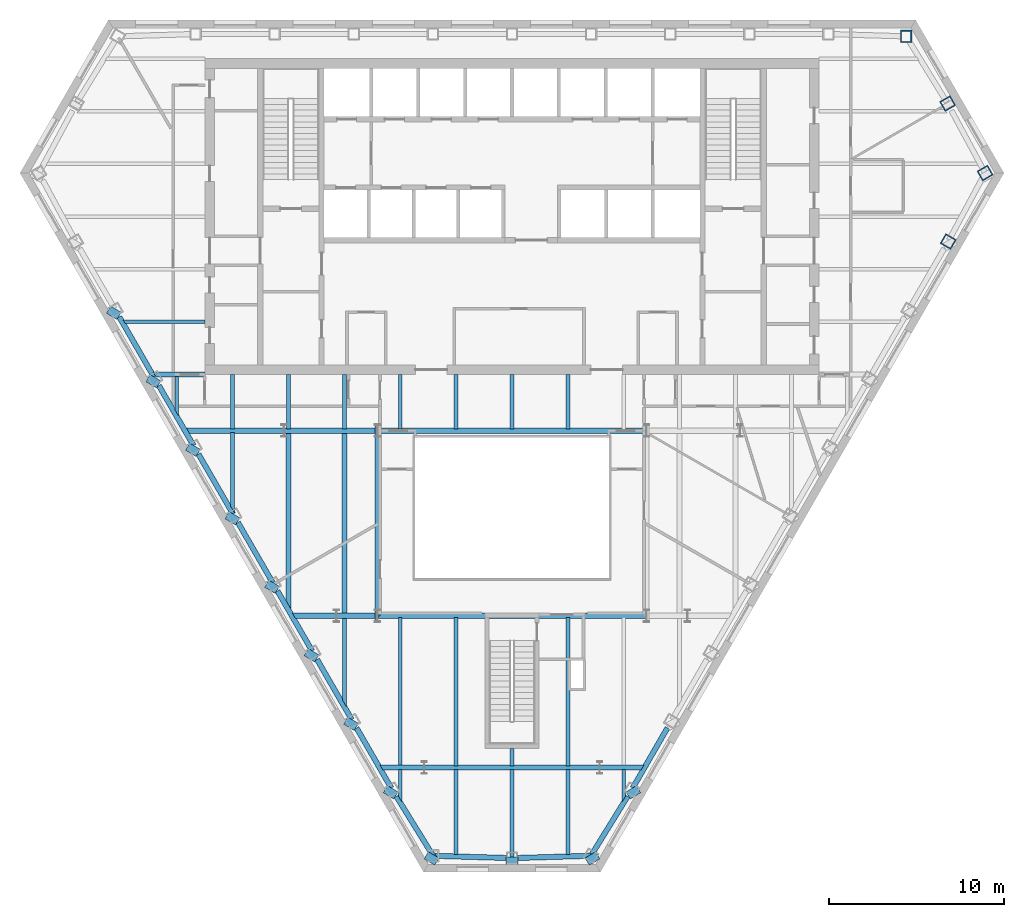
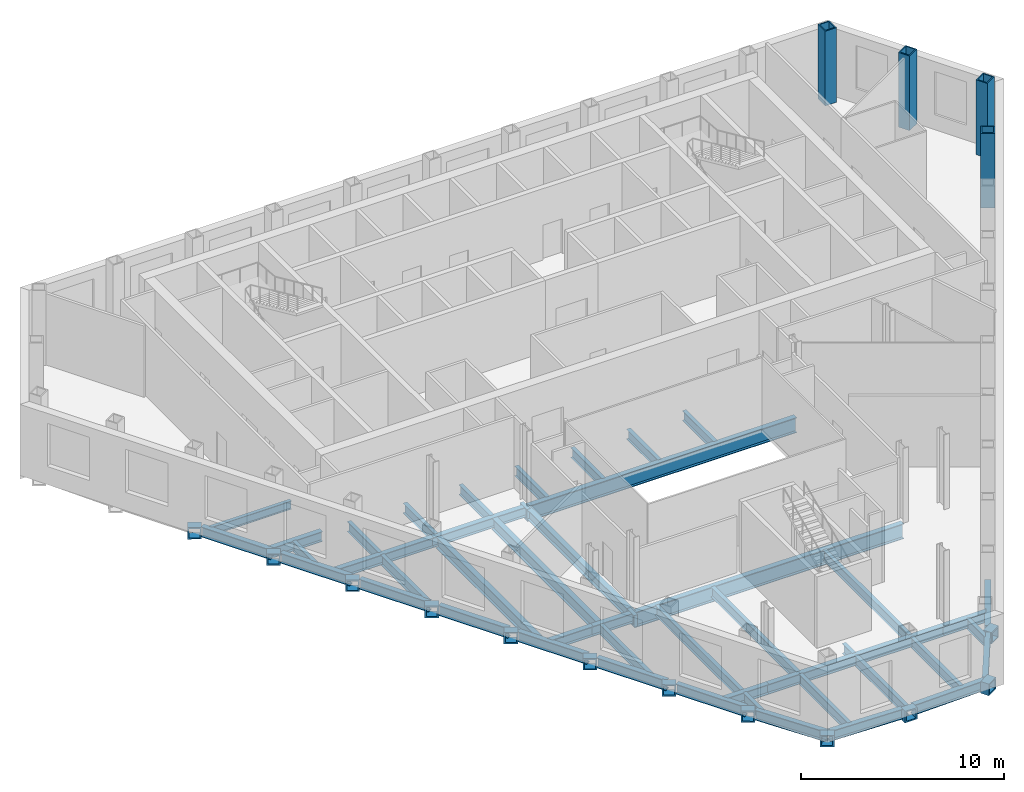
# One storey, part 2 of 11: 59 beams, 4 columns.
"""IFC4 building model written with IfcOpenShell, lengths in metres."""

from ifc_helpers import new_model, si_unit, direction, frame, origin, origin_2d, place, context, subcontext, project, spatial, hollow_rectangle, i_section, extrude, clip, halfspace, material, material_profile, profile_set, type_object, element, save


model = new_model("IFC4")

# Units and contexts
model_context = context("Model", 3, precision=1e-05, world=origin(), true_north=direction((0.0, 1.0)))
body_context = subcontext(model_context, "Body", "Model", "MODEL_VIEW")
ifc_project = project(units=[si_unit("LENGTHUNIT", "METRE"), si_unit("AREAUNIT", "SQUARE_METRE"), si_unit("VOLUMEUNIT", "CUBIC_METRE"), si_unit("PLANEANGLEUNIT", "RADIAN"), si_unit("MASSUNIT", "GRAM", prefix="KILO")], contexts=[model_context])

# Site, building, storey
site_placement = place(None, origin())
site = spatial("IfcSite", under=ifc_project, at=site_placement, CompositionType="ELEMENT")
building_placement = place(site_placement, origin())
building = spatial("IfcBuilding", under=site, at=building_placement, Name="Njiva Tower", CompositionType="ELEMENT")
storey_placement = place(building_placement, frame((0.0, 0.0, 97.8)))
storey = spatial("IfcBuildingStorey", under=building, at=storey_placement, Name="L20", CompositionType="ELEMENT", Elevation=97.8)

# Columns
ifc_material = material(Name="Steel S355 J2", Category="steel")
ifc_material_profile_1 = material_profile(ifc_material, hollow_rectangle(XDim=0.65, YDim=0.7, WallThickness=0.065, at=origin_2d()), Name="BOX 700x650x65")
ifc_profile_set_1 = profile_set([ifc_material_profile_1], Name="Steel S355 J2")
column_type = type_object("IfcColumnType", Name="C7 Perimeter tube column BOX 700x650x65", PredefinedType="COLUMN", material=ifc_profile_set_1)
for number, where, z_axis, x_axis, name in (
    (1, (22.461, 19.267, 0.0), (0.0, 0.0, 1.0), (-1.0, 0.0, 0.0), "Perimeter tube column S07-C01"),
    (2, (24.857, 7.575, 0.0), (0.0, 0.0, 1.0), (0.5, 0.866025403784, 0.0), "Perimeter tube column S07-C34"),
    (3, (26.958, 11.479, 0.0), (0.0, 0.0, 1.0), (-0.5, 0.866025403784, 0.0), "Perimeter tube column S07-C35"),
    (4, (24.825, 15.44, 0.0), (0.0, 0.0, 1.0), (-0.5, 0.866025403784, 0.0), "Perimeter tube column S07-C36"),
):
    element("IfcColumn", number, at=place(storey_placement, frame(where, z_axis=z_axis, x_axis=x_axis)), inside=storey, type_object=column_type, Name=name, PredefinedType="COLUMN", context=body_context, shape_type="SweptSolid", body=[
        extrude(hollow_rectangle(XDim=0.65, YDim=0.7, WallThickness=0.065, at=origin_2d()), origin(), (0.0, 0.0, 1.0), 4.5),
    ])

# Beams
ifc_material_profile_2 = material_profile(ifc_material, i_section(OverallWidth=0.3, OverallDepth=0.69, WebThickness=0.0145, FlangeThickness=0.027, at=origin_2d()), Name="HEA 700")
ifc_profile_set_2 = profile_set([ifc_material_profile_2], Name="Steel S355 J2")
beam_type_1 = type_object("IfcBeamType", Name="B12 Long-span floor joist HEA 700", PredefinedType="JOIST", material=ifc_profile_set_2)
beam_1_placement = place(storey_placement, frame((-12.733, -3.3, -0.545), z_axis=(0.0, -1.0, 0.0), x_axis=(1.0, 0.0, 0.0)))
element("IfcBeam", 5, at=beam_1_placement, inside=storey, type_object=beam_type_1, Name="Long-span floor joist S07-B063", PredefinedType="JOIST", context=body_context, shape_type="Clipping", body=[
    clip(extrude(i_section(OverallWidth=0.3, OverallDepth=0.69, WebThickness=0.0145, FlangeThickness=0.027, at=origin_2d()), origin(), (0.0, 0.0, 1.0), 10.135), halfspace(frame((-0.0436, 0.0, 9.8491), z_axis=(-0.866026552831, 0.0, 0.499998009787), x_axis=(0.0, 1.0, 0.0)), False)),
])
beam_2_placement = place(storey_placement, frame((-9.55, -3.3, -0.545), z_axis=(0.0, -1.0, 0.0), x_axis=(1.0, 0.0, 0.0)))
element("IfcBeam", 6, at=beam_2_placement, inside=storey, type_object=beam_type_1, Name="Long-span floor joist S07-B066", PredefinedType="JOIST", context=body_context, shape_type="SweptSolid", body=[
    extrude(i_section(OverallWidth=0.3, OverallDepth=0.69, WebThickness=0.0145, FlangeThickness=0.027, at=origin_2d()), origin(), (0.0, 0.0, 1.0), 10.35),
])
ifc_material_profile_3 = material_profile(ifc_material, i_section(OverallWidth=0.22, OverallDepth=0.6, WebThickness=0.012, FlangeThickness=0.019, at=origin_2d()), Name="IPE 600")
ifc_profile_set_3 = profile_set([ifc_material_profile_3], Name="Steel S355 J2")
beam_type_2 = type_object("IfcBeamType", Name="B13 Floor joist IPE 600", PredefinedType="JOIST", material=ifc_profile_set_3)
beam_3_placement = place(storey_placement, frame((-9.55, -13.85, -0.5), z_axis=(0.0, -1.0, 0.0), x_axis=(1.0, 0.0, 0.0)))
element("IfcBeam", 7, at=beam_3_placement, inside=storey, type_object=beam_type_2, Name="Floor joist S07-B065", PredefinedType="JOIST", context=body_context, shape_type="Clipping", body=[
    clip(extrude(i_section(OverallWidth=0.22, OverallDepth=0.6, WebThickness=0.012, FlangeThickness=0.019, at=origin_2d()), origin(), (0.0, 0.0, 1.0), 5.099), halfspace(frame((-0.0433, 0.0, 4.8128), z_axis=(-0.866026552831, 0.0, 0.499998009787), x_axis=(0.0, 1.0, 0.0)), False)),
])
for number, where, z_axis, x_axis, name in (
    (8, (-6.367, -13.851, -0.5), (0.0, -1.0, 0.0), (1.0, 0.0, 0.0), "Floor joist S07-B069"),
    (9, (-3.183, -13.851, -0.5), (0.0, -1.0, 0.0), (1.0, 0.0, 0.0), "Floor joist S07-B072"),
):
    element("IfcBeam", number, at=place(storey_placement, frame(where, z_axis=z_axis, x_axis=x_axis)), inside=storey, type_object=beam_type_2, Name=name, PredefinedType="JOIST", context=body_context, shape_type="SweptSolid", body=[
        extrude(i_section(OverallWidth=0.22, OverallDepth=0.6, WebThickness=0.012, FlangeThickness=0.019, at=origin_2d()), origin(), (0.0, 0.0, 1.0), 8.449),
    ])
beam_4_placement = place(storey_placement, frame((-3.183, -22.5, -0.5), z_axis=(0.0, -1.0, 0.0), x_axis=(1.0, 0.0, 0.0)))
element("IfcBeam", 10, at=beam_4_placement, inside=storey, type_object=beam_type_2, Name="Floor joist S07-B071", PredefinedType="JOIST", context=body_context, shape_type="SweptSolid", body=[
    extrude(i_section(OverallWidth=0.22, OverallDepth=0.6, WebThickness=0.012, FlangeThickness=0.019, at=origin_2d()), origin(), (0.0, 0.0, 1.0), 4.861),
])
beam_5_placement = place(storey_placement, frame((0.0, -22.5, -0.5), z_axis=(0.0, -1.0, 0.0), x_axis=(1.0, 0.0, 0.0)))
element("IfcBeam", 11, at=beam_5_placement, inside=storey, type_object=beam_type_2, Name="Floor joist S07-B074", PredefinedType="JOIST", context=body_context, shape_type="SweptSolid", body=[
    extrude(i_section(OverallWidth=0.22, OverallDepth=0.6, WebThickness=0.012, FlangeThickness=0.019, at=origin_2d()), origin(), (0.0, 0.0, 1.0), 5.058),
])
beam_6_placement = place(storey_placement, frame((3.183, -13.851, -0.5), z_axis=(0.0, -1.0, 0.0), x_axis=(1.0, 0.0, 0.0)))
element("IfcBeam", 12, at=beam_6_placement, inside=storey, type_object=beam_type_2, Name="Floor joist S07-B079", PredefinedType="JOIST", context=body_context, shape_type="SweptSolid", body=[
    extrude(i_section(OverallWidth=0.22, OverallDepth=0.6, WebThickness=0.012, FlangeThickness=0.019, at=origin_2d()), origin(), (0.0, 0.0, 1.0), 8.449),
])
beam_7_placement = place(storey_placement, frame((3.183, -22.5, -0.5), z_axis=(0.0, -1.0, 0.0), x_axis=(1.0, 0.0, 0.0)))
element("IfcBeam", 13, at=beam_7_placement, inside=storey, type_object=beam_type_2, Name="Floor joist S07-B078", PredefinedType="JOIST", context=body_context, shape_type="SweptSolid", body=[
    extrude(i_section(OverallWidth=0.22, OverallDepth=0.6, WebThickness=0.012, FlangeThickness=0.019, at=origin_2d()), origin(), (0.0, 0.0, 1.0), 4.861),
])
ifc_material_profile_4 = material_profile(ifc_material, i_section(OverallWidth=0.22, OverallDepth=0.6, WebThickness=0.012, FlangeThickness=0.019, at=origin_2d()), Name="IPE 600")
ifc_profile_set_4 = profile_set([ifc_material_profile_4], Name="Steel S355 J2")
beam_type_3 = type_object("IfcBeamType", Name="B14 Short-span floor joist IPE 600", PredefinedType="JOIST", material=ifc_profile_set_4)
beam_8_placement = place(storey_placement, frame((-19.1, -0.1, -0.5), z_axis=(0.0, -1.0, 0.0), x_axis=(1.0, 0.0, 0.0)))
element("IfcBeam", 14, at=beam_8_placement, inside=storey, type_object=beam_type_3, Name="Short-span floor joist S07-B059", PredefinedType="JOIST", context=body_context, shape_type="Clipping", body=[
    clip(extrude(i_section(OverallWidth=0.22, OverallDepth=0.6, WebThickness=0.012, FlangeThickness=0.019, at=origin_2d()), origin(), (0.0, 0.0, 1.0), 2.308), halfspace(frame((-0.0433, 0.0, 2.0217), z_axis=(-0.866026552831, 0.0, 0.499998009787), x_axis=(0.0, 1.0, 0.0)), False)),
])
beam_9_placement = place(storey_placement, frame((-15.917, -0.005, -0.5), z_axis=(0.0, -1.0, 0.0), x_axis=(1.0, 0.0, 0.0)))
element("IfcBeam", 15, at=beam_9_placement, inside=storey, type_object=beam_type_3, Name="Short-span floor joist S07-B062", PredefinedType="JOIST", context=body_context, shape_type="SweptSolid", body=[
    extrude(i_section(OverallWidth=0.22, OverallDepth=0.6, WebThickness=0.012, FlangeThickness=0.019, at=origin_2d()), origin(), (0.0, 0.0, 1.0), 3.095),
])
beam_10_placement = place(storey_placement, frame((-15.917, -3.3, -0.5), z_axis=(0.0, -1.0, 0.0), x_axis=(1.0, 0.0, 0.0)))
element("IfcBeam", 16, at=beam_10_placement, inside=storey, type_object=beam_type_3, Name="Short-span floor joist S07-B061", PredefinedType="JOIST", context=body_context, shape_type="Clipping", body=[
    clip(extrude(i_section(OverallWidth=0.22, OverallDepth=0.6, WebThickness=0.012, FlangeThickness=0.019, at=origin_2d()), origin(), (0.0, 0.0, 1.0), 4.621), halfspace(frame((-0.043, 0.0, 4.3354), z_axis=(-0.866026552831, 0.0, 0.499998009787), x_axis=(0.0, 1.0, 0.0)), False)),
])
for number, where, z_axis, x_axis, name in (
    (17, (-12.733, -0.005, -0.5), (0.0, -1.0, 0.0), (1.0, 0.0, 0.0), "Short-span floor joist S07-B064"),
    (18, (-9.55, -0.005, -0.5), (0.0, -1.0, 0.0), (1.0, 0.0, 0.0), "Short-span floor joist S07-B067"),
):
    element("IfcBeam", number, at=place(storey_placement, frame(where, z_axis=z_axis, x_axis=x_axis)), inside=storey, type_object=beam_type_3, Name=name, PredefinedType="JOIST", context=body_context, shape_type="SweptSolid", body=[
        extrude(i_section(OverallWidth=0.22, OverallDepth=0.6, WebThickness=0.012, FlangeThickness=0.019, at=origin_2d()), origin(), (0.0, 0.0, 1.0), 3.095),
    ])
beam_11_placement = place(storey_placement, frame((-6.367, -0.005, -0.5), z_axis=(0.0, -1.0, 0.0), x_axis=(1.0, 0.0, 0.0)))
element("IfcBeam", 19, at=beam_11_placement, inside=storey, type_object=beam_type_3, Name="Short-span floor joist S07-B070", PredefinedType="JOIST", context=body_context, shape_type="SweptSolid", body=[
    extrude(i_section(OverallWidth=0.22, OverallDepth=0.6, WebThickness=0.012, FlangeThickness=0.019, at=origin_2d()), origin(), (0.0, 0.0, 1.0), 3.094),
])
beam_12_placement = place(storey_placement, frame((-6.367, -22.5, -0.5), z_axis=(0.0, -1.0, 0.0), x_axis=(1.0, 0.0, 0.0)))
element("IfcBeam", 20, at=beam_12_placement, inside=storey, type_object=beam_type_3, Name="Short-span floor joist S07-B068", PredefinedType="JOIST", context=body_context, shape_type="Clipping", body=[
    clip(extrude(i_section(OverallWidth=0.22, OverallDepth=0.6, WebThickness=0.012, FlangeThickness=0.019, at=origin_2d()), origin(), (0.0, 0.0, 1.0), 1.907), halfspace(frame((-0.0422, 0.0, 1.64), z_axis=(-0.850620428373, 0.0, 0.525780264783), x_axis=(0.0, 1.0, 0.0)), False)),
])
for number, where, z_axis, x_axis, name in (
    (21, (-3.183, -0.005, -0.5), (0.0, -1.0, 0.0), (1.0, 0.0, 0.0), "Short-span floor joist S07-B073"),
    (22, (0.0, -0.005, -0.5), (0.0, -1.0, 0.0), (1.0, 0.0, 0.0), "Short-span floor joist S07-B077"),
):
    element("IfcBeam", number, at=place(storey_placement, frame(where, z_axis=z_axis, x_axis=x_axis)), inside=storey, type_object=beam_type_3, Name=name, PredefinedType="JOIST", context=body_context, shape_type="SweptSolid", body=[
        extrude(i_section(OverallWidth=0.22, OverallDepth=0.6, WebThickness=0.012, FlangeThickness=0.019, at=origin_2d()), origin(), (0.0, 0.0, 1.0), 3.094),
    ])
beam_13_placement = place(storey_placement, frame((0.0, -21.3, -0.5), z_axis=(0.0, -1.0, 0.0), x_axis=(1.0, 0.0, 0.0)))
element("IfcBeam", 23, at=beam_13_placement, inside=storey, type_object=beam_type_3, Name="Short-span floor joist S07-B076", PredefinedType="JOIST", context=body_context, shape_type="SweptSolid", body=[
    extrude(i_section(OverallWidth=0.22, OverallDepth=0.6, WebThickness=0.012, FlangeThickness=0.019, at=origin_2d()), origin(), (0.0, 0.0, 1.0), 1.0),
])
beam_14_placement = place(storey_placement, frame((3.183, -0.005, -0.5), z_axis=(0.0, -1.0, 0.0), x_axis=(1.0, 0.0, 0.0)))
element("IfcBeam", 24, at=beam_14_placement, inside=storey, type_object=beam_type_3, Name="Short-span floor joist S07-B080", PredefinedType="JOIST", context=body_context, shape_type="SweptSolid", body=[
    extrude(i_section(OverallWidth=0.22, OverallDepth=0.6, WebThickness=0.012, FlangeThickness=0.019, at=origin_2d()), origin(), (0.0, 0.0, 1.0), 3.094),
])
beam_15_placement = place(storey_placement, frame((6.367, -22.5, -0.5), z_axis=(0.0, -1.0, 0.0), x_axis=(1.0, 0.0, 0.0)))
element("IfcBeam", 25, at=beam_15_placement, inside=storey, type_object=beam_type_3, Name="Short-span floor joist S07-B081", PredefinedType="JOIST", context=body_context, shape_type="Clipping", body=[
    clip(extrude(i_section(OverallWidth=0.22, OverallDepth=0.6, WebThickness=0.012, FlangeThickness=0.019, at=origin_2d()), origin(), (0.0, 0.0, 1.0), 1.907), halfspace(frame((0.0422, 0.0, 1.64), z_axis=(0.850620428373, 0.0, 0.525780264783), x_axis=(0.0, 1.0, 0.0)), False)),
])
ifc_material_profile_5 = material_profile(ifc_material, hollow_rectangle(XDim=0.7, YDim=0.7, WallThickness=0.08, at=origin_2d()), Name="BOX 700x700x80")
ifc_profile_set_5 = profile_set([ifc_material_profile_5], Name="Steel S355 J2")
beam_type_4 = type_object("IfcBeamType", Name="B19 Column jog beam BOX 700x700x80", PredefinedType="BEAM", material=ifc_profile_set_5)
beam_16_placement = place(storey_placement, frame((-22.81, 3.31, -0.55), z_axis=(0.495234720822, 0.868759213645, 0.0), x_axis=(-0.868759213645, 0.495234720822, 0.0)))
element("IfcBeam", 26, at=beam_16_placement, inside=storey, type_object=beam_type_4, Name="Column jog beam S07-B033", PredefinedType="BEAM", context=body_context, shape_type="SweptSolid", body=[
    extrude(hollow_rectangle(XDim=0.7, YDim=0.7, WallThickness=0.08, at=origin_2d()), origin(), (0.0, 0.0, 1.0), 0.4765),
])
beam_17_placement = place(storey_placement, frame((-20.556, -0.593, -0.55), z_axis=(0.496138938357, 0.868243142124, 0.0), x_axis=(-0.868243142124, 0.496138938357, 0.0)))
element("IfcBeam", 27, at=beam_17_placement, inside=storey, type_object=beam_type_4, Name="Column jog beam S07-B034", PredefinedType="BEAM", context=body_context, shape_type="SweptSolid", body=[
    extrude(hollow_rectangle(XDim=0.7, YDim=0.7, WallThickness=0.08, at=origin_2d()), origin(), (0.0, 0.0, 1.0), 0.4757),
])
beam_18_placement = place(storey_placement, frame((-18.303, -4.496, -0.55), z_axis=(0.498629231199, 0.86681537238, 0.0), x_axis=(-0.86681537238, 0.498629231199, 0.0)))
element("IfcBeam", 28, at=beam_18_placement, inside=storey, type_object=beam_type_4, Name="Column jog beam S07-B035", PredefinedType="BEAM", context=body_context, shape_type="SweptSolid", body=[
    extrude(hollow_rectangle(XDim=0.7, YDim=0.7, WallThickness=0.08, at=origin_2d()), origin(), (0.0, 0.0, 1.0), 0.4753),
])
beam_19_placement = place(storey_placement, frame((-16.05, -8.399, -0.55), z_axis=(0.500207565094, 0.865905532852, 0.0), x_axis=(-0.865905532852, 0.500207565094, 0.0)))
element("IfcBeam", 29, at=beam_19_placement, inside=storey, type_object=beam_type_4, Name="Column jog beam S07-B036", PredefinedType="BEAM", context=body_context, shape_type="SweptSolid", body=[
    extrude(hollow_rectangle(XDim=0.7, YDim=0.7, WallThickness=0.08, at=origin_2d()), origin(), (0.0, 0.0, 1.0), 0.4758),
])
beam_20_placement = place(storey_placement, frame((-13.796, -12.302, -0.55), z_axis=(0.501119266826, 0.865378229687, 0.0), x_axis=(-0.865378229687, 0.501119266826, 0.0)))
element("IfcBeam", 30, at=beam_20_placement, inside=storey, type_object=beam_type_4, Name="Column jog beam S07-B037", PredefinedType="BEAM", context=body_context, shape_type="SweptSolid", body=[
    extrude(hollow_rectangle(XDim=0.7, YDim=0.7, WallThickness=0.08, at=origin_2d()), origin(), (0.0, 0.0, 1.0), 0.4749),
])
beam_21_placement = place(storey_placement, frame((-11.543, -16.205, -0.55), z_axis=(0.502033738113, 0.864848036245, 0.0), x_axis=(-0.864848036245, 0.502033738113, 0.0)))
element("IfcBeam", 31, at=beam_21_placement, inside=storey, type_object=beam_type_4, Name="Column jog beam S07-B038", PredefinedType="BEAM", context=body_context, shape_type="SweptSolid", body=[
    extrude(hollow_rectangle(XDim=0.7, YDim=0.7, WallThickness=0.08, at=origin_2d()), origin(), (0.0, 0.0, 1.0), 0.4741),
])
for number, where, z_axis, x_axis, name in (
    (32, (-9.29, -20.107, -0.55), (0.505448100698, 0.862857008722, 0.0), (-0.862857008722, 0.505448100698, 0.0), "Column jog beam S07-B039"),
    (33, (-7.036, -24.01, -0.55), (0.505448100698, 0.862857008722, 0.0), (-0.862857008722, 0.505448100698, 0.0), "Column jog beam S07-B042"),
):
    element("IfcBeam", number, at=place(storey_placement, frame(where, z_axis=z_axis, x_axis=x_axis)), inside=storey, type_object=beam_type_4, Name=name, PredefinedType="BEAM", context=body_context, shape_type="SweptSolid", body=[
        extrude(hollow_rectangle(XDim=0.7, YDim=0.7, WallThickness=0.08, at=origin_2d()), origin(), (0.0, 0.0, 1.0), 0.4728),
    ])
beam_22_placement = place(storey_placement, frame((-4.707, -27.78, -0.55), z_axis=(0.511075392877, 0.859535888021, 0.0), x_axis=(-0.859535888021, 0.511075392877, 0.0)))
element("IfcBeam", 34, at=beam_22_placement, inside=storey, type_object=beam_type_4, Name="Column jog beam S07-B043", PredefinedType="BEAM", context=body_context, shape_type="SweptSolid", body=[
    extrude(hollow_rectangle(XDim=0.7, YDim=0.7, WallThickness=0.08, at=origin_2d()), origin(), (0.0, 0.0, 1.0), 0.4735),
])
beam_23_placement = place(storey_placement, frame((0.0, -27.921, -0.55), z_axis=(0.0, 1.0, 0.0), x_axis=(-1.0, 0.0, 0.0)))
element("IfcBeam", 35, at=beam_23_placement, inside=storey, type_object=beam_type_4, Name="Column jog beam S07-B044", PredefinedType="BEAM", context=body_context, shape_type="SweptSolid", body=[
    extrude(hollow_rectangle(XDim=0.7, YDim=0.7, WallThickness=0.08, at=origin_2d()), origin(), (0.0, 0.0, 1.0), 0.423),
])
beam_24_placement = place(storey_placement, frame((4.707, -27.78, -0.55), z_axis=(-0.511075392877, 0.859535888021, 0.0), x_axis=(-0.859535888021, -0.511075392877, 0.0)))
element("IfcBeam", 36, at=beam_24_placement, inside=storey, type_object=beam_type_4, Name="Column jog beam S07-B045", PredefinedType="BEAM", context=body_context, shape_type="SweptSolid", body=[
    extrude(hollow_rectangle(XDim=0.7, YDim=0.7, WallThickness=0.08, at=origin_2d()), origin(), (0.0, 0.0, 1.0), 0.4735),
])
beam_25_placement = place(storey_placement, frame((7.036, -24.01, -0.55), z_axis=(-0.505448100698, 0.862857008722, 0.0), x_axis=(-0.862857008722, -0.505448100698, 0.0)))
element("IfcBeam", 37, at=beam_25_placement, inside=storey, type_object=beam_type_4, Name="Column jog beam S07-B046", PredefinedType="BEAM", context=body_context, shape_type="SweptSolid", body=[
    extrude(hollow_rectangle(XDim=0.7, YDim=0.7, WallThickness=0.08, at=origin_2d()), origin(), (0.0, 0.0, 1.0), 0.4728),
])
for number, where, z_axis, x_axis, name in (
    (38, (-7.82, -3.2, -0.55), (1.0, 0.0, 0.0), (0.0, 1.0, 0.0), "Column jog beam S07-B041"),
    (39, (-7.82, -13.75, -0.55), (1.0, 0.0, 0.0), (0.0, 1.0, 0.0), "Column jog beam S07-B040"),
):
    element("IfcBeam", number, at=place(storey_placement, frame(where, z_axis=z_axis, x_axis=x_axis)), inside=storey, type_object=beam_type_4, Name=name, PredefinedType="BEAM", context=body_context, shape_type="SweptSolid", body=[
        extrude(hollow_rectangle(XDim=0.7, YDim=0.7, WallThickness=0.08, at=origin_2d()), origin(), (0.0, 0.0, 1.0), 0.21),
    ])
ifc_material_profile_6 = material_profile(ifc_material, i_section(OverallWidth=0.3, OverallDepth=0.6, WebThickness=0.0155, FlangeThickness=0.03, at=origin_2d()), Name="HEB 600")
ifc_profile_set_6 = profile_set([ifc_material_profile_6], Name="Steel S355 J2")
beam_type_5 = type_object("IfcBeamType", Name="B20 Floor girder HEB 600", PredefinedType="BEAM", material=ifc_profile_set_6)
beam_26_placement = place(storey_placement, frame((-18.628, -3.2, -0.5), z_axis=(1.0, 0.0, 0.0), x_axis=(0.0, 1.0, 0.0)))
element("IfcBeam", 40, at=beam_26_placement, inside=storey, type_object=beam_type_5, Name="Floor girder S07-B017", PredefinedType="BEAM", context=body_context, shape_type="Clipping", body=[
    clip(extrude(i_section(OverallWidth=0.3, OverallDepth=0.6, WebThickness=0.0155, FlangeThickness=0.03, at=origin_2d()), origin(), (0.0, 0.0, 1.0), 5.628), halfspace(frame((-0.025, 0.0, 0.1217), z_axis=(-0.499998009787, 0.0, -0.866026552831), x_axis=(0.0, -1.0, 0.0)), False)),
])
beam_27_placement = place(storey_placement, frame((-13.0, -3.2, -0.5), z_axis=(1.0, 0.0, 0.0), x_axis=(0.0, 1.0, 0.0)))
element("IfcBeam", 41, at=beam_27_placement, inside=storey, type_object=beam_type_5, Name="Floor girder S07-B018", PredefinedType="BEAM", context=body_context, shape_type="SweptSolid", body=[
    extrude(i_section(OverallWidth=0.3, OverallDepth=0.6, WebThickness=0.0155, FlangeThickness=0.03, at=origin_2d()), origin(), (0.0, 0.0, 1.0), 5.33),
])
ifc_material_profile_7 = material_profile(ifc_material, i_section(OverallWidth=0.3, OverallDepth=0.6, WebThickness=0.0155, FlangeThickness=0.03, at=origin_2d()), Name="HEB 600")
ifc_profile_set_7 = profile_set([ifc_material_profile_7], Name="Steel S355 J2")
beam_type_6 = type_object("IfcBeamType", Name="B21 Short-span floor girder HEB 600", PredefinedType="BEAM", material=ifc_profile_set_7)
beam_28_placement = place(storey_placement, frame((-12.537, -13.75, -0.5), z_axis=(1.0, 0.0, 0.0), x_axis=(0.0, 1.0, 0.0)))
element("IfcBeam", 42, at=beam_28_placement, inside=storey, type_object=beam_type_6, Name="Short-span floor girder S07-B019", PredefinedType="BEAM", context=body_context, shape_type="Clipping", body=[
    clip(extrude(i_section(OverallWidth=0.3, OverallDepth=0.6, WebThickness=0.0155, FlangeThickness=0.03, at=origin_2d()), origin(), (0.0, 0.0, 1.0), 2.537), halfspace(frame((-0.025, 0.0, 0.1217), z_axis=(-0.499998009787, 0.0, -0.866026552831), x_axis=(0.0, -1.0, 0.0)), False)),
])
beam_29_placement = place(storey_placement, frame((-10.0, -13.75, -0.5), z_axis=(1.0, 0.0, 0.0), x_axis=(0.0, 1.0, 0.0)))
element("IfcBeam", 43, at=beam_29_placement, inside=storey, type_object=beam_type_6, Name="Short-span floor girder S07-B020", PredefinedType="BEAM", context=body_context, shape_type="SweptSolid", body=[
    extrude(i_section(OverallWidth=0.3, OverallDepth=0.6, WebThickness=0.0155, FlangeThickness=0.03, at=origin_2d()), origin(), (0.0, 0.0, 1.0), 2.33),
])
beam_30_placement = place(storey_placement, frame((-7.543, -22.4, -0.5), z_axis=(1.0, 0.0, 0.0), x_axis=(0.0, 1.0, 0.0)))
element("IfcBeam", 44, at=beam_30_placement, inside=storey, type_object=beam_type_6, Name="Short-span floor girder S07-B021", PredefinedType="BEAM", context=body_context, shape_type="Clipping", body=[
    clip(extrude(i_section(OverallWidth=0.3, OverallDepth=0.6, WebThickness=0.0155, FlangeThickness=0.03, at=origin_2d()), origin(), (0.0, 0.0, 1.0), 2.543), halfspace(frame((-0.025, 0.0, 0.1218), z_axis=(-0.499998009787, 0.0, -0.866026552831), x_axis=(0.0, -1.0, 0.0)), False)),
])
beam_31_placement = place(storey_placement, frame((5.0, -22.4, -0.5), z_axis=(1.0, 0.0, 0.0), x_axis=(0.0, 1.0, 0.0)))
element("IfcBeam", 45, at=beam_31_placement, inside=storey, type_object=beam_type_6, Name="Short-span floor girder S07-B023", PredefinedType="BEAM", context=body_context, shape_type="Clipping", body=[
    clip(extrude(i_section(OverallWidth=0.3, OverallDepth=0.6, WebThickness=0.0155, FlangeThickness=0.03, at=origin_2d()), origin(), (0.0, 0.0, 1.0), 2.543), halfspace(frame((-0.025, 0.0, 2.4212), z_axis=(-0.499998009787, 0.0, 0.866026552831), x_axis=(0.0, 1.0, 0.0)), False)),
])
beam_32_placement = place(storey_placement, frame((-20.475, 0.0, -0.5), z_axis=(1.0, 0.0, 0.0), x_axis=(0.0, 1.0, 0.0)))
element("IfcBeam", 46, at=beam_32_placement, inside=storey, type_object=beam_type_6, Name="Short-span floor girder S07-B015", PredefinedType="BEAM", context=body_context, shape_type="Clipping", body=[
    clip(extrude(i_section(OverallWidth=0.3, OverallDepth=0.6, WebThickness=0.0155, FlangeThickness=0.03, at=origin_2d()), origin(), (0.0, 0.0, 1.0), 2.975), halfspace(frame((-0.025, 0.0, 0.1211), z_axis=(-0.499998009787, 0.0, -0.866026552831), x_axis=(0.0, -1.0, 0.0)), False)),
])
ifc_material_profile_8 = material_profile(ifc_material, i_section(OverallWidth=0.3, OverallDepth=0.6, WebThickness=0.0155, FlangeThickness=0.03, at=origin_2d()), Name="HEB 600")
ifc_profile_set_8 = profile_set([ifc_material_profile_8], Name="Steel S355 J2")
beam_type_7 = type_object("IfcBeamType", Name="B22 Long-span floor girder HEB 600", PredefinedType="BEAM", material=ifc_profile_set_8)
beam_33_placement = place(storey_placement, frame((-5.0, -22.4, -0.5), z_axis=(1.0, 0.0, 0.0), x_axis=(0.0, 1.0, 0.0)))
element("IfcBeam", 47, at=beam_33_placement, inside=storey, type_object=beam_type_7, Name="Long-span floor girder S07-B022", PredefinedType="BEAM", context=body_context, shape_type="SweptSolid", body=[
    extrude(i_section(OverallWidth=0.3, OverallDepth=0.6, WebThickness=0.0155, FlangeThickness=0.03, at=origin_2d()), origin(), (0.0, 0.0, 1.0), 10.0),
])
ifc_material_profile_9 = material_profile(ifc_material, i_section(OverallWidth=0.3, OverallDepth=0.6, WebThickness=0.0155, FlangeThickness=0.03, at=origin_2d()), Name="HEB 600")
ifc_profile_set_9 = profile_set([ifc_material_profile_9], Name="Steel S355 J2")
beam_type_8 = type_object("IfcBeamType", Name="B23 Long-span atrium trimmer beam HEB 600", PredefinedType="BEAM", material=ifc_profile_set_9)
beam_34_placement = place(storey_placement, frame((-7.67, -3.2, -0.5), z_axis=(0.0, -1.0, 0.0), x_axis=(1.0, 0.0, 0.0)))
element("IfcBeam", 48, at=beam_34_placement, inside=storey, type_object=beam_type_8, Name="Long-span atrium trimmer beam S07-B093", PredefinedType="BEAM", context=body_context, shape_type="SweptSolid", body=[
    extrude(i_section(OverallWidth=0.3, OverallDepth=0.6, WebThickness=0.0155, FlangeThickness=0.03, at=origin_2d()), origin(), (0.0, 0.0, 1.0), 10.55),
])
ifc_material_profile_10 = material_profile(ifc_material, i_section(OverallWidth=0.2, OverallDepth=0.5, WebThickness=0.0102, FlangeThickness=0.016, at=origin_2d()), Name="IPE 500")
ifc_profile_set_10 = profile_set([ifc_material_profile_10], Name="Steel S355 J2")
beam_type_9 = type_object("IfcBeamType", Name="B24 Floor beam to the core IPE 500", PredefinedType="BEAM", material=ifc_profile_set_10)
beam_35_placement = place(storey_placement, frame((-22.178, 3.0, -0.45), z_axis=(1.0, 0.0, 0.0), x_axis=(0.0, 1.0, 0.0)))
element("IfcBeam", 49, at=beam_35_placement, inside=storey, type_object=beam_type_9, Name="Floor beam to the core S07-B007", PredefinedType="BEAM", context=body_context, shape_type="Clipping", body=[
    clip(extrude(i_section(OverallWidth=0.2, OverallDepth=0.5, WebThickness=0.0102, FlangeThickness=0.016, at=origin_2d()), origin(), (0.0, 0.0, 1.0), 4.678), halfspace(frame((-0.025, 0.0, 0.0921), z_axis=(-0.499998009787, 0.0, -0.866026552831), x_axis=(0.0, -1.0, 0.0)), False)),
])
ifc_material_profile_11 = material_profile(ifc_material, i_section(OverallWidth=0.3, OverallDepth=0.6, WebThickness=0.0155, FlangeThickness=0.03, at=origin_2d()), Name="HEB 600")
ifc_profile_set_11 = profile_set([ifc_material_profile_11], Name="Steel S355 J2")
beam_type_10 = type_object("IfcBeamType", Name="B3 Short-span spandrel beam HEB 600", PredefinedType="SPANDREL", material=ifc_profile_set_11)
beam_36_placement = place(storey_placement, frame((-22.376, 3.278, -0.5), z_axis=(0.499890179513, -0.866088799389, 0.0), x_axis=(0.866088799389, 0.499890179513, 0.0)))
element("IfcBeam", 50, at=beam_36_placement, inside=storey, type_object=beam_type_10, Name="Short-span spandrel beam S07-B108", PredefinedType="SPANDREL", context=body_context, shape_type="SweptSolid", body=[
    extrude(i_section(OverallWidth=0.3, OverallDepth=0.6, WebThickness=0.0155, FlangeThickness=0.03, at=origin_2d()), origin(), (0.0, 0.0, 1.0), 3.9569),
])
beam_37_placement = place(storey_placement, frame((-20.123, -0.626, -0.5), z_axis=(0.500189166063, -0.865916161157, 0.0), x_axis=(0.865916161157, 0.500189166063, 0.0)))
element("IfcBeam", 51, at=beam_37_placement, inside=storey, type_object=beam_type_10, Name="Short-span spandrel beam S07-B112", PredefinedType="SPANDREL", context=body_context, shape_type="SweptSolid", body=[
    extrude(i_section(OverallWidth=0.3, OverallDepth=0.6, WebThickness=0.0155, FlangeThickness=0.03, at=origin_2d()), origin(), (0.0, 0.0, 1.0), 3.9565),
])
beam_38_placement = place(storey_placement, frame((-17.869, -4.528, -0.5), z_axis=(0.499890179513, -0.866088799389, 0.0), x_axis=(0.866088799389, 0.499890179513, 0.0)))
element("IfcBeam", 52, at=beam_38_placement, inside=storey, type_object=beam_type_10, Name="Short-span spandrel beam S07-B114", PredefinedType="SPANDREL", context=body_context, shape_type="SweptSolid", body=[
    extrude(i_section(OverallWidth=0.3, OverallDepth=0.6, WebThickness=0.0155, FlangeThickness=0.03, at=origin_2d()), origin(), (0.0, 0.0, 1.0), 3.9569),
])
beam_39_placement = place(storey_placement, frame((-15.616, -8.431, -0.5), z_axis=(0.500079715141, -0.865979375335, 0.0), x_axis=(0.865979375335, 0.500079715141, 0.0)))
element("IfcBeam", 53, at=beam_39_placement, inside=storey, type_object=beam_type_10, Name="Short-span spandrel beam S07-B118", PredefinedType="SPANDREL", context=body_context, shape_type="SweptSolid", body=[
    extrude(i_section(OverallWidth=0.3, OverallDepth=0.6, WebThickness=0.0155, FlangeThickness=0.03, at=origin_2d()), origin(), (0.0, 0.0, 1.0), 3.9574),
])
beam_40_placement = place(storey_placement, frame((-13.362, -12.334, -0.5), z_axis=(0.499890179513, -0.866088799389, 0.0), x_axis=(0.866088799389, 0.499890179513, 0.0)))
element("IfcBeam", 54, at=beam_40_placement, inside=storey, type_object=beam_type_10, Name="Short-span spandrel beam S07-B120", PredefinedType="SPANDREL", context=body_context, shape_type="SweptSolid", body=[
    extrude(i_section(OverallWidth=0.3, OverallDepth=0.6, WebThickness=0.0155, FlangeThickness=0.03, at=origin_2d()), origin(), (0.0, 0.0, 1.0), 3.9569),
])
beam_41_placement = place(storey_placement, frame((-11.109, -16.237, -0.5), z_axis=(0.499999616612, -0.866025625133, 0.0), x_axis=(0.866025625133, 0.499999616612, 0.0)))
element("IfcBeam", 55, at=beam_41_placement, inside=storey, type_object=beam_type_10, Name="Short-span spandrel beam S07-B123", PredefinedType="SPANDREL", context=body_context, shape_type="SweptSolid", body=[
    extrude(i_section(OverallWidth=0.3, OverallDepth=0.6, WebThickness=0.0155, FlangeThickness=0.03, at=origin_2d()), origin(), (0.0, 0.0, 1.0), 3.956),
])
beam_42_placement = place(storey_placement, frame((-8.856, -20.139, -0.5), z_axis=(0.499890179513, -0.866088799389, 0.0), x_axis=(0.866088799389, 0.499890179513, 0.0)))
element("IfcBeam", 56, at=beam_42_placement, inside=storey, type_object=beam_type_10, Name="Short-span spandrel beam S07-B125", PredefinedType="SPANDREL", context=body_context, shape_type="SweptSolid", body=[
    extrude(i_section(OverallWidth=0.3, OverallDepth=0.6, WebThickness=0.0155, FlangeThickness=0.03, at=origin_2d()), origin(), (0.0, 0.0, 1.0), 3.9569),
])
beam_43_placement = place(storey_placement, frame((-6.591, -24.036, -0.5), z_axis=(0.5258451882, -0.850580294885, 0.0), x_axis=(0.850580294885, 0.5258451882, 0.0)))
element("IfcBeam", 57, at=beam_43_placement, inside=storey, type_object=beam_type_10, Name="Short-span spandrel beam S07-B128", PredefinedType="SPANDREL", context=body_context, shape_type="Clipping", body=[
    clip(extrude(i_section(OverallWidth=0.3, OverallDepth=0.6, WebThickness=0.0155, FlangeThickness=0.03, at=origin_2d()), origin(), (0.0, 0.0, 1.0), 4.1009), halfspace(frame((-0.0266, 0.0, 3.9714), z_axis=(-0.5258451882, 0.0, 0.850580294885), x_axis=(0.0, 1.0, 0.0)), False)),
])
beam_44_placement = place(storey_placement, frame((-4.397, -27.428, -0.5), z_axis=(0.999562287979, -0.029584327786, 0.0), x_axis=(0.029584327786, 0.999562287979, 0.0)))
element("IfcBeam", 58, at=beam_44_placement, inside=storey, type_object=beam_type_10, Name="Short-span spandrel beam S07-B129", PredefinedType="SPANDREL", context=body_context, shape_type="SweptSolid", body=[
    extrude(i_section(OverallWidth=0.3, OverallDepth=0.6, WebThickness=0.0155, FlangeThickness=0.03, at=origin_2d()), origin(), (0.0, 0.0, 1.0), 4.1238),
])
beam_45_placement = place(storey_placement, frame((0.275, -27.55, -0.5), z_axis=(0.999563660054, 0.029537933217, 0.0), x_axis=(-0.029537933217, 0.999563660054, 0.0)))
element("IfcBeam", 59, at=beam_45_placement, inside=storey, type_object=beam_type_10, Name="Short-span spandrel beam S07-B134", PredefinedType="SPANDREL", context=body_context, shape_type="Clipping", body=[
    clip(extrude(i_section(OverallWidth=0.3, OverallDepth=0.6, WebThickness=0.0155, FlangeThickness=0.03, at=origin_2d()), origin(), (0.0, 0.0, 1.0), 4.3448), halfspace(frame((-0.0259, 0.0, 4.2154), z_axis=(-0.525360475164, 0.0, 0.850879763031), x_axis=(0.0, 1.0, 0.0)), False)),
])
beam_46_placement = place(storey_placement, frame((4.552, -27.335, -0.5), z_axis=(0.525750865424, 0.850638599821, 0.0), x_axis=(-0.850638599821, 0.525750865424, 0.0)))
element("IfcBeam", 60, at=beam_46_placement, inside=storey, type_object=beam_type_10, Name="Short-span spandrel beam S07-B135", PredefinedType="SPANDREL", context=body_context, shape_type="SweptSolid", body=[
    extrude(i_section(OverallWidth=0.3, OverallDepth=0.6, WebThickness=0.0155, FlangeThickness=0.03, at=origin_2d()), origin(), (0.0, 0.0, 1.0), 3.8783),
])
beam_47_placement = place(storey_placement, frame((6.878, -23.566, -0.5), z_axis=(0.499890179513, 0.866088799389, 0.0), x_axis=(-0.866088799389, 0.499890179513, 0.0)))
element("IfcBeam", 61, at=beam_47_placement, inside=storey, type_object=beam_type_10, Name="Short-span spandrel beam S07-B138", PredefinedType="SPANDREL", context=body_context, shape_type="SweptSolid", body=[
    extrude(i_section(OverallWidth=0.3, OverallDepth=0.6, WebThickness=0.0155, FlangeThickness=0.03, at=origin_2d()), origin(), (0.0, 0.0, 1.0), 3.9569),
])
ifc_material_profile_12 = material_profile(ifc_material, i_section(OverallWidth=0.302, OverallDepth=0.91, WebThickness=0.021, FlangeThickness=0.04, at=origin_2d()), Name="HEM 900")
ifc_profile_set_12 = profile_set([ifc_material_profile_12], Name="Steel S355 J2")
beam_type_11 = type_object("IfcBeamType", Name="B8 Long-span atrium trimmer beam HEM 900", PredefinedType="BEAM", material=ifc_profile_set_12)
for number, where, z_axis, x_axis, name in (
    (62, (-7.67, -13.75, -0.655), (1.0, 0.0, 0.0), (0.0, 1.0, 0.0), "Long-span atrium trimmer beam S07-B094"),
    (63, (7.67, -3.2, -0.655), (-1.0, 0.0, 0.0), (0.0, -1.0, 0.0), "Long-span atrium trimmer beam S07-B096"),
):
    element("IfcBeam", number, at=place(storey_placement, frame(where, z_axis=z_axis, x_axis=x_axis)), inside=storey, type_object=beam_type_11, Name=name, PredefinedType="BEAM", context=body_context, shape_type="SweptSolid", body=[
        extrude(i_section(OverallWidth=0.302, OverallDepth=0.91, WebThickness=0.021, FlangeThickness=0.04, at=origin_2d()), origin(), (0.0, 0.0, 1.0), 15.34),
    ])

save(model, "model.ifc")
